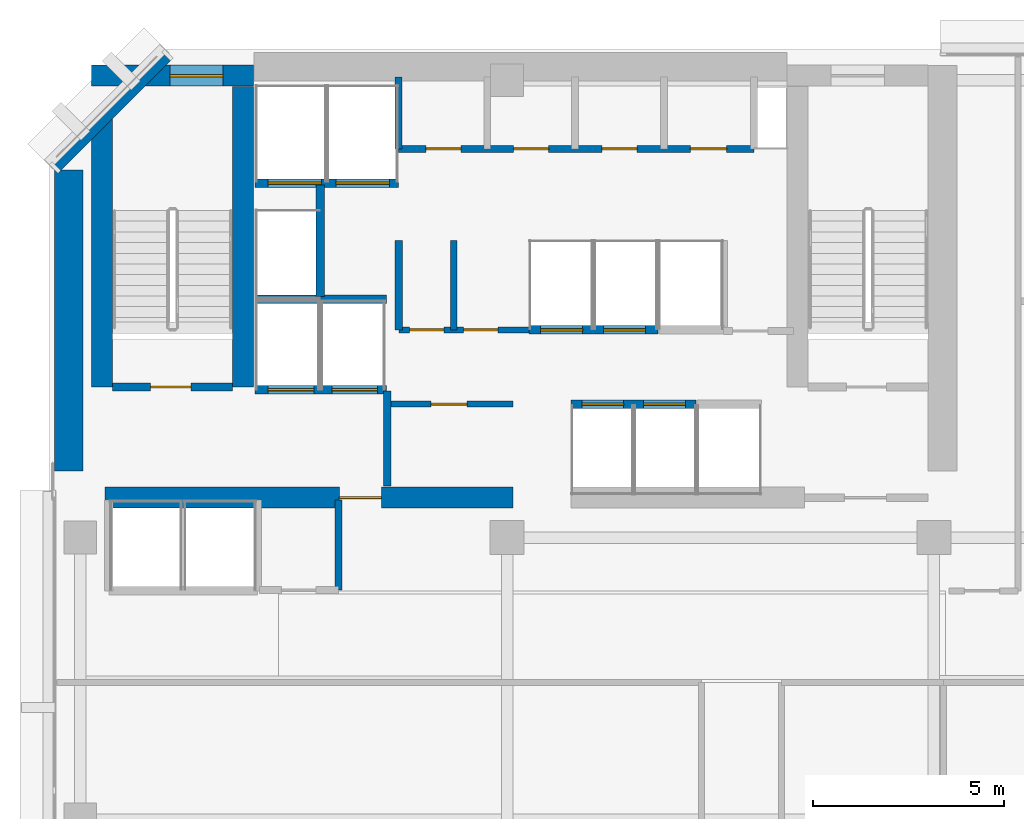
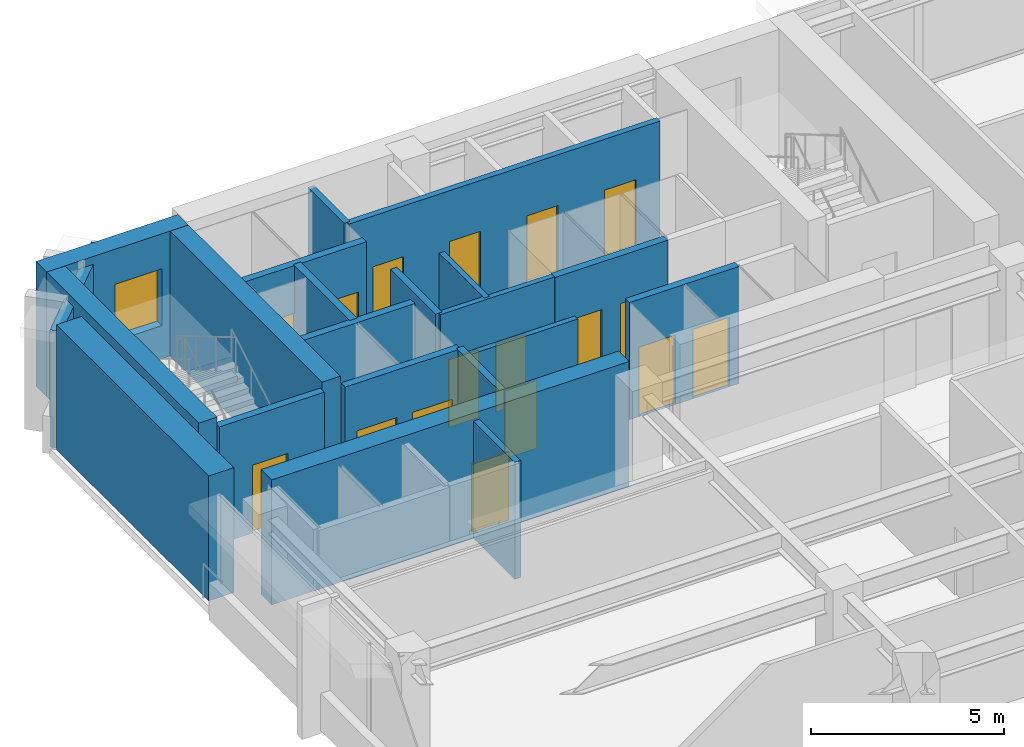
# One storey, part 7 of 11: 21 walls, 17 doors, 1 window, 18 openings.
"""IFC4 building model written with IfcOpenShell, lengths in metres."""

import ifcopenshell
import ifcopenshell.guid

model = None  # the IFC model being written
_history = None  # IfcOwnerHistory: only IFC2X3 demands one
_inside = {}  # id of a spatial element -> (the spatial element, [elements in it])
_under = {}  # id of a project, library or spatial element -> (it, [spatial elements below it])
_declared = {}  # id of a project -> (the project, [libraries it declares])
_typed = {}  # id of a type object -> (the type object, [elements of that type])
_made_of = {}  # id of a material, layer set ... -> (it, [elements and type objects made of it])


def new_model(schema):
    """Start an empty IFC model of exactly this schema.

    Asked for "IFC4X3", IfcOpenShell would pick the latest addendum, in which some entities
    have other attributes; the version numbers below select the first issue.
    IFC2X3 requires an IfcOwnerHistory on every rooted entity: one is made here for all.
    """
    global model, _history
    if schema == "IFC4X3":
        model = ifcopenshell.file(schema_version=(4, 3, 0, 0))
    else:
        model = ifcopenshell.file(schema=schema)
    _inside.clear()
    _under.clear()
    _declared.clear()
    _typed.clear()
    _made_of.clear()
    _history = None
    if model.schema == "IFC2X3":
        org = make("IfcOrganization", Name="unknown")
        user = make(
            "IfcPersonAndOrganization",
            ThePerson=make("IfcPerson", FamilyName="unknown"),
            TheOrganization=org,
        )
        app = make(
            "IfcApplication",
            ApplicationDeveloper=org,
            Version="unknown",
            ApplicationFullName="unknown",
            ApplicationIdentifier="unknown",
        )
        _history = make(
            "IfcOwnerHistory",
            OwningUser=user,
            OwningApplication=app,
            ChangeAction="ADDED",
            CreationDate=0,
        )
    return model


def make(cls, **values):
    """One entity of the class cls with the attributes given. An attribute that is None is left unset."""
    return model.create_entity(
        cls, **{name: value for name, value in values.items() if value is not None}
    )


def rooted(cls, **values):
    """An entity with a GlobalId (a new one), such as an element, a storey or a relation."""
    return make(cls, GlobalId=ifcopenshell.guid.new(), OwnerHistory=_history, **values)


def si_unit(unit_type, name, prefix=None):
    """IfcSIUnit, for example si_unit("LENGTHUNIT", "METRE", prefix="MILLI")."""
    return make("IfcSIUnit", UnitType=unit_type, Prefix=prefix, Name=name)


def assignment(units):
    """IfcUnitAssignment: the units of a project."""
    return None if units is None else make("IfcUnitAssignment", Units=units)


def point(xyz):
    """IfcCartesianPoint."""
    return None if xyz is None else make("IfcCartesianPoint", Coordinates=xyz)


def direction(xyz):
    """IfcDirection."""
    return None if xyz is None else make("IfcDirection", DirectionRatios=xyz)


def frame(location, z_axis=None, x_axis=None):
    """IfcAxis2Placement3D, a coordinate frame: its origin and axes. An axis left out is left unset."""
    return make(
        "IfcAxis2Placement3D",
        Location=point(location),
        Axis=direction(z_axis),
        RefDirection=direction(x_axis),
    )


def frame_2d(location, x_axis=None):
    """IfcAxis2Placement2D, a coordinate frame in the plane: its origin and x axis."""
    return make(
        "IfcAxis2Placement2D", Location=point(location), RefDirection=direction(x_axis)
    )


def origin():
    """The frame at (0, 0, 0) with its axes left unset."""
    return frame((0.0, 0.0, 0.0))


def place(relative_to, where):
    """IfcLocalPlacement: puts the frame where relative to a parent placement (None: the world)."""
    return make(
        "IfcLocalPlacement", PlacementRelTo=relative_to, RelativePlacement=where
    )


def context(
    kind, dimensions, precision=None, world=None, true_north=None, identifier=None
):
    """IfcGeometricRepresentationContext, for example the 3D "Model" context."""
    return make(
        "IfcGeometricRepresentationContext",
        ContextIdentifier=identifier,
        ContextType=kind,
        CoordinateSpaceDimension=dimensions,
        Precision=precision,
        WorldCoordinateSystem=world,
        TrueNorth=true_north,
    )


def subcontext(parent, identifier, kind, view, scale=None):
    """IfcGeometricRepresentationSubContext, for example "Body" below "Model"."""
    return make(
        "IfcGeometricRepresentationSubContext",
        ContextIdentifier=identifier,
        ContextType=kind,
        ParentContext=parent,
        TargetScale=scale,
        TargetView=view,
    )


def project(units=None, contexts=None):
    """IfcProject with its units and contexts."""
    return rooted(
        "IfcProject",
        Name="project",
        RepresentationContexts=contexts,
        UnitsInContext=assignment(units),
    )


def spatial(cls, under=None, at=None, **own):
    """A site, building, storey or space (cls), placed at a placement, below another one or the project."""
    s = rooted(cls, ObjectPlacement=at, **own)
    if under is not None:
        _under.setdefault(under.id(), (under, []))[1].append(s)
    return s


def profile(cls, at=None, kind="AREA", **sizes):
    """A parametric profile (cls). Its sizes go by their IFC names, for example OverallWidth=200.0."""
    return make(cls, ProfileType=kind, Position=at, **sizes)


def rectangle(**sizes):
    """IfcRectangleProfileDef."""
    return profile("IfcRectangleProfileDef", **sizes)


def extrude(swept, where, along, depth):
    """IfcExtrudedAreaSolid: the profile swept, set in the frame where, extruded along a direction by depth."""
    return make(
        "IfcExtrudedAreaSolid",
        SweptArea=swept,
        Position=where,
        ExtrudedDirection=direction(along),
        Depth=depth,
    )


def shape(context_of_items, identifier, shape_type, items):
    """IfcShapeRepresentation: the items that make up one representation, for example the "Body"."""
    return make(
        "IfcShapeRepresentation",
        ContextOfItems=context_of_items,
        RepresentationIdentifier=identifier,
        RepresentationType=shape_type,
        Items=items,
    )


def material(Name=None, Category=None):
    """IfcMaterial."""
    return make("IfcMaterial", Name=Name, Category=Category)


def layer(
    of_material, thickness, ventilated=None, Name=None, Category=None, Priority=None
):
    """IfcMaterialLayer: one layer of a wall or slab, of a material (None: an air gap)."""
    return make(
        "IfcMaterialLayer",
        Material=of_material,
        LayerThickness=thickness,
        IsVentilated=ventilated,
        Name=Name,
        Category=Category,
        Priority=Priority,
    )


def layer_set(layers, Name=None):
    """IfcMaterialLayerSet."""
    return make("IfcMaterialLayerSet", MaterialLayers=layers, LayerSetName=Name)


def made_of(thing, what):
    """Note that an element or type object is made of a material, layer set ...; save() writes the relation."""
    if what is not None:
        _made_of.setdefault(what.id(), (what, []))[1].append(thing)
    return thing


def type_object(cls, material=None, **own):
    """A type object (cls), such as IfcWallType, which elements share."""
    return made_of(rooted(cls, **own), material)


def element(
    cls,
    number,
    at=None,
    inside=None,
    cuts=None,
    type_object=None,
    material=None,
    context=None,
    identifier="Body",
    shape_type=None,
    held_by="IfcProductDefinitionShape",
    body=None,
    shapes=None,
    **own,
):
    """One element of the class cls, such as IfcWall. Its Tag is "e" and its number.

    at: its placement. inside: the storey or other place that contains it. cuts: it is an
    opening in that element (IfcRelVoidsElement). A single representation is given by context,
    identifier, shape_type and body (its items); several are given by shapes. held_by: the class
    of the entity that holds the representations. save() writes the other relations.
    """
    e = rooted(cls, Tag="e%d" % number, ObjectPlacement=at, **own)
    if body is not None:
        shapes = [shape(context, identifier, shape_type, body)]
    if shapes is not None:
        e.Representation = make(held_by, Representations=shapes)
    if inside is not None:
        _inside.setdefault(inside.id(), (inside, []))[1].append(e)
    if cuts is not None:
        rooted(
            "IfcRelVoidsElement", RelatingBuildingElement=cuts, RelatedOpeningElement=e
        )
    if type_object is not None:
        _typed.setdefault(type_object.id(), (type_object, []))[1].append(e)
    return made_of(e, material)


def fill(opening, filler):
    """IfcRelFillsElement: the door or window that sits in an opening."""
    return rooted(
        "IfcRelFillsElement",
        RelatingOpeningElement=opening,
        RelatedBuildingElement=filler,
    )


def aggregate(whole, parts):
    """IfcRelAggregates: a whole, such as a stair, and the parts it consists of."""
    return rooted("IfcRelAggregates", RelatingObject=whole, RelatedObjects=parts)


def save(model, path):
    """Write the relations noted so far, then the file.

    IfcRelAggregates (storeys below a building ...), IfcRelContainedInSpatialStructure (elements
    in a storey), IfcRelDefinesByType, IfcRelAssociatesMaterial and IfcRelDeclares: one each for
    every whole, place, type object, material and project.
    """
    for whole, parts in _under.values():
        aggregate(whole, parts)
    for where, things in _inside.values():
        rooted(
            "IfcRelContainedInSpatialStructure",
            RelatedElements=things,
            RelatingStructure=where,
        )
    for kind, things in _typed.values():
        rooted("IfcRelDefinesByType", RelatedObjects=things, RelatingType=kind)
    for what, things in _made_of.values():
        rooted("IfcRelAssociatesMaterial", RelatedObjects=things, RelatingMaterial=what)
    for by, libraries in _declared.values():
        rooted("IfcRelDeclares", RelatingContext=by, RelatedDefinitions=libraries)
    model.write(path)


model = new_model("IFC4")

# Units and contexts
model_context = context("Model", 3, precision=1e-05, world=origin(), true_north=direction((0.0, 1.0)))
body_context = subcontext(model_context, "Body", "Model", "MODEL_VIEW")
ifc_project = project(units=[si_unit("LENGTHUNIT", "METRE"), si_unit("AREAUNIT", "SQUARE_METRE"), si_unit("VOLUMEUNIT", "CUBIC_METRE"), si_unit("PLANEANGLEUNIT", "RADIAN"), si_unit("MASSUNIT", "GRAM", prefix="KILO")], contexts=[model_context])

# Site, building, storey
site_placement = place(None, origin())
site = spatial("IfcSite", under=ifc_project, at=site_placement, CompositionType="ELEMENT")
building_placement = place(site_placement, origin())
building = spatial("IfcBuilding", under=site, at=building_placement, Name="Kefirva Bronze Tower", CompositionType="ELEMENT")
storey_placement = place(building_placement, frame((0.0, 0.0, 179.52001953125)))
storey = spatial("IfcBuildingStorey", under=building, at=storey_placement, Name="L43", CompositionType="ELEMENT", Elevation=179.52001953125)

# Wall, opening, door
ifc_material_1 = material(Name="Gypsum fireboard shaftwall")
ifc_layer_1 = layer(ifc_material_1, 0.219970703125, Name="Gypsum fireboard shaftwall")
ifc_layer_set_1 = layer_set([ifc_layer_1], Name="Gypsum fireboard shaftwall")
wall_type_1 = type_object("IfcWallType", Name="Fire-Rated Shaft Enclosure Wall 220mm", PredefinedType="PARTITIONING", material=ifc_layer_set_1)
wall_1_placement = place(storey_placement, frame((1.64990234375, 37.14990234375, 0.0), z_axis=(0.0, 0.0, 1.0), x_axis=(1.0, 0.0, 0.0)))
wall_1 = element("IfcWall", 1, at=wall_1_placement, inside=storey, type_object=wall_type_1, Name="L43 Partition W-L43-ST1S", PredefinedType="PARTITIONING", context=body_context, shape_type="SweptSolid", body=[
    extrude(rectangle(XDim=3.150146484375, YDim=0.219970703125, at=frame_2d((1.5751953125, 0.0))), origin(), (0.0, 0.0, 1.0), 3.7099609375),
])
opening_1_placement = place(wall_1_placement, frame((2.050048828125, 0.0, 0.0), z_axis=(0.0, 0.0, 1.0), x_axis=(-1.0, 0.0, 0.0)))
opening_1 = element("IfcOpeningElement", 2, at=opening_1_placement, cuts=wall_1, Name="Opening L43-D001", PredefinedType="OPENING", context=body_context, shape_type="SweptSolid", body=[
    extrude(rectangle(XDim=1.050048828125, YDim=2.14990234375, at=frame_2d((0.52490234375, 1.074951171875))), frame((0.0, 0.1201171875, 0.0), z_axis=(0.0, -1.0, 0.0), x_axis=(1.0, 0.0, 0.0)), (0.0, 0.0, 1.0), 0.239990234375),
])
ifc_material_2 = material(Name="Painted galvanized steel", Category="steel")
door_type_1 = type_object("IfcDoorType", Name="Fire Stair Enclosure Door 1050x2150 FD90S", OperationType="NOTDEFINED", PredefinedType="DOOR", material=ifc_material_2)
door_1_placement = place(opening_1_placement, origin())
door_1 = element("IfcDoor", 3, at=door_1_placement, inside=storey, type_object=door_type_1, Name="Door L43-D001", OperationType="SINGLE_SWING_LEFT", OverallHeight=2.14990234375, OverallWidth=1.050048828125, PredefinedType="DOOR", context=body_context, shape_type="SweptSolid", body=[
    extrude(rectangle(XDim=1.050048828125, YDim=2.14990234375, at=frame_2d((0.52490234375, 1.074951171875))), frame((0.0, 0.02490234375, 0.0), z_axis=(0.0, -1.0, 0.0), x_axis=(1.0, 0.0, 0.0)), (0.0, 0.0, 1.0), 0.050048828125),
])
fill(opening_1, door_1)

# Wall, openings, doors
wall_2_placement = place(storey_placement, frame((5.3798828125, 37.080078125, 0.0), z_axis=(0.0, 0.0, 1.0), x_axis=(1.0, 0.0, 0.0)))
wall_2 = element("IfcWall", 4, at=wall_2_placement, inside=storey, type_object=wall_type_1, Name="L43 Partition W-L43-FFS", PredefinedType="PARTITIONING", context=body_context, shape_type="SweptSolid", body=[
    extrude(rectangle(XDim=3.460205078125, YDim=0.219970703125, at=frame_2d((1.72998046875, 0.0))), origin(), (0.0, 0.0, 1.0), 3.7099609375),
])
opening_2_placement = place(wall_2_placement, frame((1.550048828125, 0.0, 0.0), z_axis=(0.0, 0.0, 1.0), x_axis=(-1.0, 0.0, 0.0)))
opening_2 = element("IfcOpeningElement", 5, at=opening_2_placement, cuts=wall_2, Name="Opening L43-LD-FF1", PredefinedType="OPENING", context=body_context, shape_type="SweptSolid", body=[
    extrude(rectangle(XDim=1.199951171875, YDim=2.199951171875, at=frame_2d((0.60009765625, 1.10009765625))), frame((0.0, 0.1201171875, 0.0), z_axis=(0.0, -1.0, 0.0), x_axis=(1.0, 0.0, 0.0)), (0.0, 0.0, 1.0), 0.239990234375),
])
opening_3_placement = place(wall_2_placement, frame((3.219970703125, 0.0, 0.0), z_axis=(0.0, 0.0, 1.0), x_axis=(-1.0, 0.0, 0.0)))
opening_3 = element("IfcOpeningElement", 6, at=opening_3_placement, cuts=wall_2, Name="Opening L43-LD-FF2", PredefinedType="OPENING", context=body_context, shape_type="SweptSolid", body=[
    extrude(rectangle(XDim=1.199951171875, YDim=2.199951171875, at=frame_2d((0.60009765625, 1.10009765625))), frame((0.0, 0.1201171875, 0.0), z_axis=(0.0, -1.0, 0.0), x_axis=(1.0, 0.0, 0.0)), (0.0, 0.0, 1.0), 0.239990234375),
])
ifc_material_3 = material(Name="Stainless steel 316", Category="steel")
door_type_2 = type_object("IfcDoorType", Name="Firefighting Lift Sliding Door 1200x2200", OperationType="SLIDING_TO_RIGHT", PredefinedType="DOOR", material=ifc_material_3)
door_2_placement = place(opening_2_placement, origin())
door_2 = element("IfcDoor", 7, at=door_2_placement, inside=storey, type_object=door_type_2, Name="Door L43-LD-FF1", OperationType="SLIDING_TO_RIGHT", OverallHeight=2.199951171875, OverallWidth=1.199951171875, PredefinedType="DOOR", context=body_context, shape_type="SweptSolid", body=[
    extrude(rectangle(XDim=1.199951171875, YDim=2.199951171875, at=frame_2d((0.60009765625, 1.10009765625))), frame((0.0, 0.02490234375, 0.0), z_axis=(0.0, -1.0, 0.0), x_axis=(1.0, 0.0, 0.0)), (0.0, 0.0, 1.0), 0.050048828125),
])
fill(opening_2, door_2)
door_3_placement = place(opening_3_placement, origin())
door_3 = element("IfcDoor", 8, at=door_3_placement, inside=storey, type_object=door_type_2, Name="Door L43-LD-FF2", OperationType="SLIDING_TO_RIGHT", OverallHeight=2.199951171875, OverallWidth=1.199951171875, PredefinedType="DOOR", context=body_context, shape_type="SweptSolid", body=[
    extrude(rectangle(XDim=1.199951171875, YDim=2.199951171875, at=frame_2d((0.60009765625, 1.10009765625))), frame((0.0, 0.02490234375, 0.0), z_axis=(0.0, -1.0, 0.0), x_axis=(1.0, 0.0, 0.0)), (0.0, 0.0, 1.0), 0.050048828125),
])
fill(opening_3, door_3)

# Wall
wall_3_placement = place(storey_placement, frame((5.3798828125, 39.449951171875, 0.0), z_axis=(0.0, 0.0, 1.0), x_axis=(1.0, 0.0, 0.0)))
element("IfcWall", 9, at=wall_3_placement, inside=storey, type_object=wall_type_1, Name="L43 Partition W-L43-FFN", PredefinedType="PARTITIONING", context=body_context, shape_type="SweptSolid", body=[
    extrude(rectangle(XDim=3.460205078125, YDim=0.219970703125, at=frame_2d((1.72998046875, 0.0))), origin(), (0.0, 0.0, 1.0), 3.7099609375),
])

# Wall, openings, doors
wall_4_placement = place(storey_placement, frame((5.3798828125, 42.5, 0.0), z_axis=(0.0, 0.0, 1.0), x_axis=(1.0, 0.0, 0.0)))
wall_4 = element("IfcWall", 10, at=wall_4_placement, inside=storey, type_object=wall_type_1, Name="L43 Partition W-L43-SVS", PredefinedType="PARTITIONING", context=body_context, shape_type="SweptSolid", body=[
    extrude(rectangle(XDim=3.77001953125, YDim=0.219970703125, at=frame_2d((1.885009765625, 0.0))), origin(), (0.0, 0.0, 1.0), 3.7099609375),
])
opening_4_placement = place(wall_4_placement, frame((1.75, 0.0, 0.0), z_axis=(0.0, 0.0, 1.0), x_axis=(-1.0, 0.0, 0.0)))
opening_4 = element("IfcOpeningElement", 11, at=opening_4_placement, cuts=wall_4, Name="Opening L43-LD-SV1", PredefinedType="OPENING", context=body_context, shape_type="SweptSolid", body=[
    extrude(rectangle(XDim=1.39990234375, YDim=2.199951171875, at=frame_2d((0.699951171875, 1.10009765625))), frame((0.0, 0.1201171875, 0.0), z_axis=(0.0, -1.0, 0.0), x_axis=(1.0, 0.0, 0.0)), (0.0, 0.0, 1.0), 0.239990234375),
])
opening_5_placement = place(wall_4_placement, frame((3.52978515625, 0.0, 0.0), z_axis=(0.0, 0.0, 1.0), x_axis=(-1.0, 0.0, 0.0)))
opening_5 = element("IfcOpeningElement", 12, at=opening_5_placement, cuts=wall_4, Name="Opening L43-LD-SV2", PredefinedType="OPENING", context=body_context, shape_type="SweptSolid", body=[
    extrude(rectangle(XDim=1.39990234375, YDim=2.199951171875, at=frame_2d((0.699951171875, 1.10009765625))), frame((0.0, 0.1201171875, 0.0), z_axis=(0.0, -1.0, 0.0), x_axis=(1.0, 0.0, 0.0)), (0.0, 0.0, 1.0), 0.239990234375),
])
door_type_3 = type_object("IfcDoorType", Name="Goods Lift Bi-Parting Sliding Door 1400x2200", OperationType="SLIDING_TO_LEFT", PredefinedType="DOOR", material=ifc_material_3)
door_4_placement = place(opening_4_placement, origin())
door_4 = element("IfcDoor", 13, at=door_4_placement, inside=storey, type_object=door_type_3, Name="Door L43-LD-SV1", OperationType="SLIDING_TO_LEFT", OverallHeight=2.199951171875, OverallWidth=1.39990234375, PredefinedType="DOOR", context=body_context, shape_type="SweptSolid", body=[
    extrude(rectangle(XDim=1.39990234375, YDim=2.199951171875, at=frame_2d((0.699951171875, 1.10009765625))), frame((0.0, 0.02490234375, 0.0), z_axis=(0.0, -1.0, 0.0), x_axis=(1.0, 0.0, 0.0)), (0.0, 0.0, 1.0), 0.050048828125),
])
fill(opening_4, door_4)
door_5_placement = place(opening_5_placement, origin())
door_5 = element("IfcDoor", 14, at=door_5_placement, inside=storey, type_object=door_type_3, Name="Door L43-LD-SV2", OperationType="SLIDING_TO_LEFT", OverallHeight=2.199951171875, OverallWidth=1.39990234375, PredefinedType="DOOR", context=body_context, shape_type="SweptSolid", body=[
    extrude(rectangle(XDim=1.39990234375, YDim=2.199951171875, at=frame_2d((0.699951171875, 1.10009765625))), frame((0.0, 0.02490234375, 0.0), z_axis=(0.0, -1.0, 0.0), x_axis=(1.0, 0.0, 0.0)), (0.0, 0.0, 1.0), 0.050048828125),
])
fill(opening_5, door_5)

# Walls
wall_5_placement = place(storey_placement, frame((7.10009765625, 39.52001953125, 0.0), z_axis=(0.0, 0.0, 1.0), x_axis=(0.0, 1.0, 0.0)))
element("IfcWall", 15, at=wall_5_placement, inside=storey, type_object=wall_type_1, Name="L43 Partition W-L43-HP3E", PredefinedType="PARTITIONING", context=body_context, shape_type="SweptSolid", body=[
    extrude(rectangle(XDim=2.929931640625, YDim=0.219970703125, at=frame_2d((1.46484375, 0.0))), origin(), (0.0, 0.0, 1.0), 3.7099609375),
])
wall_6_placement = place(storey_placement, frame((9.159912109375, 38.64990234375, 0.0), z_axis=(0.0, 0.0, 1.0), x_axis=(0.0, 1.0, 0.0)))
element("IfcWall", 16, at=wall_6_placement, inside=storey, type_object=wall_type_1, Name="L43 Partition W-L43-LP3W", PredefinedType="PARTITIONING", context=body_context, shape_type="SweptSolid", body=[
    extrude(rectangle(XDim=2.35009765625, YDim=0.199951171875, at=frame_2d((1.175048828125, 0.0))), origin(), (0.0, 0.0, 1.0), 3.7099609375),
])

# Wall, openings, doors
wall_7_placement = place(storey_placement, frame((13.679931640625, 36.699951171875, 0.0), z_axis=(0.0, 0.0, 1.0), x_axis=(1.0, 0.0, 0.0)))
wall_7 = element("IfcWall", 17, at=wall_7_placement, inside=storey, type_object=wall_type_1, Name="L43 Partition W-L43-MPS", PredefinedType="PARTITIONING", context=body_context, shape_type="SweptSolid", body=[
    extrude(rectangle(XDim=3.280029296875, YDim=0.219970703125, at=frame_2d((1.64013671875, 0.0))), origin(), (0.0, 0.0, 1.0), 3.7099609375),
])
opening_6_placement = place(wall_7_placement, frame((0.280029296875, 0.0, 0.0)))
opening_6 = element("IfcOpeningElement", 18, at=opening_6_placement, cuts=wall_7, Name="Opening L43-LD-MP1", PredefinedType="OPENING", context=body_context, shape_type="SweptSolid", body=[
    extrude(rectangle(XDim=1.10009765625, YDim=2.199951171875, at=frame_2d((0.550048828125, 1.10009765625))), frame((0.0, 0.1201171875, 0.0), z_axis=(0.0, -1.0, 0.0), x_axis=(1.0, 0.0, 0.0)), (0.0, 0.0, 1.0), 0.239990234375),
])
opening_7_placement = place(wall_7_placement, frame((1.89990234375, 0.0, 0.0)))
opening_7 = element("IfcOpeningElement", 19, at=opening_7_placement, cuts=wall_7, Name="Opening L43-LD-MP2", PredefinedType="OPENING", context=body_context, shape_type="SweptSolid", body=[
    extrude(rectangle(XDim=1.10009765625, YDim=2.199951171875, at=frame_2d((0.550048828125, 1.10009765625))), frame((0.0, 0.1201171875, 0.0), z_axis=(0.0, -1.0, 0.0), x_axis=(1.0, 0.0, 0.0)), (0.0, 0.0, 1.0), 0.239990234375),
])
door_type_4 = type_object("IfcDoorType", Name="Passenger Lift Sliding Landing Door 1100x2200", OperationType="SLIDING_TO_LEFT", PredefinedType="DOOR", material=ifc_material_3)
door_6_placement = place(opening_6_placement, origin())
door_6 = element("IfcDoor", 20, at=door_6_placement, inside=storey, type_object=door_type_4, Name="Door L43-LD-MP1", OperationType="SLIDING_TO_RIGHT", OverallHeight=2.199951171875, OverallWidth=1.10009765625, PredefinedType="DOOR", context=body_context, shape_type="SweptSolid", body=[
    extrude(rectangle(XDim=1.10009765625, YDim=2.199951171875, at=frame_2d((0.550048828125, 1.10009765625))), frame((0.0, 0.02490234375, 0.0), z_axis=(0.0, -1.0, 0.0), x_axis=(1.0, 0.0, 0.0)), (0.0, 0.0, 1.0), 0.050048828125),
])
fill(opening_6, door_6)
door_7_placement = place(opening_7_placement, origin())
door_7 = element("IfcDoor", 21, at=door_7_placement, inside=storey, type_object=door_type_4, Name="Door L43-LD-MP2", OperationType="SLIDING_TO_RIGHT", OverallHeight=2.199951171875, OverallWidth=1.10009765625, PredefinedType="DOOR", context=body_context, shape_type="SweptSolid", body=[
    extrude(rectangle(XDim=1.10009765625, YDim=2.199951171875, at=frame_2d((0.550048828125, 1.10009765625))), frame((0.0, 0.02490234375, 0.0), z_axis=(0.0, -1.0, 0.0), x_axis=(1.0, 0.0, 0.0)), (0.0, 0.0, 1.0), 0.050048828125),
])
fill(opening_7, door_7)

wall_8_placement = place(storey_placement, frame((12.580078125, 38.64990234375, 0.0), z_axis=(0.0, 0.0, 1.0), x_axis=(1.0, 0.0, 0.0)))
wall_8 = element("IfcWall", 22, at=wall_8_placement, inside=storey, type_object=wall_type_1, Name="L43 Partition W-L43-MPN", PredefinedType="PARTITIONING", context=body_context, shape_type="SweptSolid", body=[
    extrude(rectangle(XDim=3.3798828125, YDim=0.219970703125, at=frame_2d((1.68994140625, 0.0))), origin(), (0.0, 0.0, 1.0), 3.7099609375),
])
opening_8_placement = place(wall_8_placement, frame((0.300048828125, 0.0, 0.0)))
opening_8 = element("IfcOpeningElement", 23, at=opening_8_placement, cuts=wall_8, Name="Opening L43-LD-MP3", PredefinedType="OPENING", context=body_context, shape_type="SweptSolid", body=[
    extrude(rectangle(XDim=1.10009765625, YDim=2.199951171875, at=frame_2d((0.550048828125, 1.10009765625))), frame((0.0, 0.1201171875, 0.0), z_axis=(0.0, -1.0, 0.0), x_axis=(1.0, 0.0, 0.0)), (0.0, 0.0, 1.0), 0.239990234375),
])
opening_9_placement = place(wall_8_placement, frame((1.949951171875, 0.0, 0.0)))
opening_9 = element("IfcOpeningElement", 24, at=opening_9_placement, cuts=wall_8, Name="Opening L43-LD-MP4", PredefinedType="OPENING", context=body_context, shape_type="SweptSolid", body=[
    extrude(rectangle(XDim=1.10009765625, YDim=2.199951171875, at=frame_2d((0.550048828125, 1.10009765625))), frame((0.0, 0.1201171875, 0.0), z_axis=(0.0, -1.0, 0.0), x_axis=(1.0, 0.0, 0.0)), (0.0, 0.0, 1.0), 0.239990234375),
])
door_8_placement = place(opening_8_placement, origin())
door_8 = element("IfcDoor", 25, at=door_8_placement, inside=storey, type_object=door_type_4, Name="Door L43-LD-MP3", OperationType="SLIDING_TO_RIGHT", OverallHeight=2.199951171875, OverallWidth=1.10009765625, PredefinedType="DOOR", context=body_context, shape_type="SweptSolid", body=[
    extrude(rectangle(XDim=1.10009765625, YDim=2.199951171875, at=frame_2d((0.550048828125, 1.10009765625))), frame((0.0, 0.02490234375, 0.0), z_axis=(0.0, -1.0, 0.0), x_axis=(1.0, 0.0, 0.0)), (0.0, 0.0, 1.0), 0.050048828125),
])
fill(opening_8, door_8)
door_9_placement = place(opening_9_placement, origin())
door_9 = element("IfcDoor", 26, at=door_9_placement, inside=storey, type_object=door_type_4, Name="Door L43-LD-MP4", OperationType="SLIDING_TO_RIGHT", OverallHeight=2.199951171875, OverallWidth=1.10009765625, PredefinedType="DOOR", context=body_context, shape_type="SweptSolid", body=[
    extrude(rectangle(XDim=1.10009765625, YDim=2.199951171875, at=frame_2d((0.550048828125, 1.10009765625))), frame((0.0, 0.02490234375, 0.0), z_axis=(0.0, -1.0, 0.0), x_axis=(1.0, 0.0, 0.0)), (0.0, 0.0, 1.0), 0.050048828125),
])
fill(opening_9, door_9)

# Walls
ifc_material_4 = material(Name="Gypsum fireboard barrier")
ifc_layer_2 = layer(ifc_material_4, 0.199951171875, Name="Gypsum fireboard barrier")
ifc_layer_set_2 = layer_set([ifc_layer_2], Name="Gypsum fireboard barrier")
wall_type_2 = type_object("IfcWallType", Name="Firefighting Lobby Barrier Wall 200mm", PredefinedType="PARTITIONING", material=ifc_layer_set_2)
wall_9_placement = place(storey_placement, frame((8.860107421875, 34.550048828125, 0.0), z_axis=(0.0, 0.0, 1.0), x_axis=(0.0, 1.0, 0.0)))
element("IfcWall", 27, at=wall_9_placement, inside=storey, type_object=wall_type_2, Name="L43 Partition W-L43-FFLE", PredefinedType="PARTITIONING", context=body_context, shape_type="SweptSolid", body=[
    extrude(rectangle(XDim=2.5, YDim=0.199951171875, at=frame_2d((1.25, 0.0))), origin(), (0.0, 0.0, 1.0), 3.7099609375),
])
ifc_material_5 = material(Name="Precast concrete C40/50", Category="concrete")
ifc_layer_3 = layer(ifc_material_5, 0.320068359375, Name="Precast concrete C40/50")
ifc_layer_set_3 = layer_set([ifc_layer_3], Name="Precast concrete C40/50")
wall_type_3 = type_object("IfcWallType", Name="Precast Insulated Exterior Wall 320mm", PredefinedType="SOLIDWALL", material=ifc_layer_set_3)
wall_10_placement = place(storey_placement, frame((3.07421875, 45.847900390625, 0.0), z_axis=(0.0, 0.0, 1.0), x_axis=(-0.707106781187, -0.707106781187, 0.0)))
element("IfcWall", 28, at=wall_10_placement, inside=storey, type_object=wall_type_3, Name="L43 Exterior Facade Wall 5", PredefinedType="SOLIDWALL", context=body_context, shape_type="SweptSolid", body=[
    extrude(rectangle(XDim=4.132568359375, YDim=0.320068359375, at=frame_2d((2.06640625, 0.0))), origin(), (0.0, 0.0, 1.0), 3.7099609375),
])

# Wall, opening, door
ifc_material_6 = material(Name="Gypsum acoustic partition")
ifc_layer_4 = layer(ifc_material_6, 0.159912109375, Name="Gypsum acoustic partition")
ifc_layer_set_4 = layer_set([ifc_layer_4], Name="Gypsum acoustic partition")
wall_type_4 = type_object("IfcWallType", Name="Protected Corridor Partition 160mm", PredefinedType="PARTITIONING", material=ifc_layer_set_4)
wall_11_placement = place(storey_placement, frame((8.89990234375, 36.699951171875, 0.0), z_axis=(0.0, 0.0, 1.0), x_axis=(1.0, 0.0, 0.0)))
wall_11 = element("IfcWall", 29, at=wall_11_placement, inside=storey, type_object=wall_type_4, Name="L43 Partition W-L43-RECLP1", PredefinedType="PARTITIONING", context=body_context, shape_type="SweptSolid", body=[
    extrude(rectangle(XDim=3.25, YDim=0.159912109375, at=frame_2d((1.625, 0.0))), origin(), (0.0, 0.0, 1.0), 3.7099609375),
])
opening_10_placement = place(wall_11_placement, frame((1.10009765625, 0.0, 0.0)))
opening_10 = element("IfcOpeningElement", 30, at=opening_10_placement, cuts=wall_11, Name="Opening L43-D-RECLP1", PredefinedType="OPENING", context=body_context, shape_type="SweptSolid", body=[
    extrude(rectangle(XDim=0.949951171875, YDim=2.14990234375, at=frame_2d((0.47509765625, 1.074951171875))), frame((0.0, 0.08984375, 0.0), z_axis=(0.0, -1.0, 0.0), x_axis=(1.0, 0.0, 0.0)), (0.0, 0.0, 1.0), 0.179931640625),
])
ifc_material_7 = material(Name="Acoustic hardwood oak", Category="wood")
door_type_5 = type_object("IfcDoorType", Name="Office & Meeting Room Door 950x2150", OperationType="NOTDEFINED", PredefinedType="DOOR", material=ifc_material_7)
door_10_placement = place(opening_10_placement, origin())
door_10 = element("IfcDoor", 31, at=door_10_placement, inside=storey, type_object=door_type_5, Name="Door L43-D-RECLP1", OperationType="SINGLE_SWING_LEFT", OverallHeight=2.14990234375, OverallWidth=0.949951171875, PredefinedType="DOOR", context=body_context, shape_type="SweptSolid", body=[
    extrude(rectangle(XDim=0.949951171875, YDim=2.14990234375, at=frame_2d((0.47509765625, 1.074951171875))), frame((0.0, 0.02490234375, 0.0), z_axis=(0.0, -1.0, 0.0), x_axis=(1.0, 0.0, 0.0)), (0.0, 0.0, 1.0), 0.050048828125),
])
fill(opening_10, door_10)

# Wall, openings, doors
wall_12_placement = place(storey_placement, frame((9.159912109375, 38.64990234375, 0.0), z_axis=(0.0, 0.0, 1.0), x_axis=(1.0, 0.0, 0.0)))
wall_12 = element("IfcWall", 32, at=wall_12_placement, inside=storey, type_object=wall_type_4, Name="L43 Partition W-L43-RECLP2", PredefinedType="PARTITIONING", context=body_context, shape_type="SweptSolid", body=[
    extrude(rectangle(XDim=3.420166015625, YDim=0.159912109375, at=frame_2d((1.7099609375, 0.0))), origin(), (0.0, 0.0, 1.0), 3.7099609375),
])
opening_11_placement = place(wall_12_placement, frame((1.179931640625, 0.0, 0.0), z_axis=(0.0, 0.0, 1.0), x_axis=(-1.0, 0.0, 0.0)))
opening_11 = element("IfcOpeningElement", 33, at=opening_11_placement, cuts=wall_12, Name="Opening L43-D-RECLP2A", PredefinedType="OPENING", context=body_context, shape_type="SweptSolid", body=[
    extrude(rectangle(XDim=0.89990234375, YDim=2.14990234375, at=frame_2d((0.449951171875, 1.074951171875))), frame((0.0, 0.08984375, 0.0), z_axis=(0.0, -1.0, 0.0), x_axis=(1.0, 0.0, 0.0)), (0.0, 0.0, 1.0), 0.179931640625),
])
opening_12_placement = place(wall_12_placement, frame((2.599853515625, 0.0, 0.0), z_axis=(0.0, 0.0, 1.0), x_axis=(-1.0, 0.0, 0.0)))
opening_12 = element("IfcOpeningElement", 34, at=opening_12_placement, cuts=wall_12, Name="Opening L43-D-RECLP2B", PredefinedType="OPENING", context=body_context, shape_type="SweptSolid", body=[
    extrude(rectangle(XDim=0.89990234375, YDim=2.14990234375, at=frame_2d((0.449951171875, 1.074951171875))), frame((0.0, 0.08984375, 0.0), z_axis=(0.0, -1.0, 0.0), x_axis=(1.0, 0.0, 0.0)), (0.0, 0.0, 1.0), 0.179931640625),
])
door_type_6 = type_object("IfcDoorType", Name="Core Archive & Server Fire Door 900x2150 FD60S", OperationType="NOTDEFINED", PredefinedType="DOOR", material=ifc_material_2)
door_11_placement = place(opening_11_placement, origin())
door_11 = element("IfcDoor", 35, at=door_11_placement, inside=storey, type_object=door_type_6, Name="Door L43-D-RECLP2A", OperationType="SINGLE_SWING_RIGHT", OverallHeight=2.14990234375, OverallWidth=0.89990234375, PredefinedType="DOOR", context=body_context, shape_type="SweptSolid", body=[
    extrude(rectangle(XDim=0.89990234375, YDim=2.14990234375, at=frame_2d((0.449951171875, 1.074951171875))), frame((0.0, 0.02490234375, 0.0), z_axis=(0.0, -1.0, 0.0), x_axis=(1.0, 0.0, 0.0)), (0.0, 0.0, 1.0), 0.050048828125),
])
fill(opening_11, door_11)
door_12_placement = place(opening_12_placement, origin())
door_12 = element("IfcDoor", 36, at=door_12_placement, inside=storey, type_object=door_type_6, Name="Door L43-D-RECLP2B", OperationType="SINGLE_SWING_LEFT", OverallHeight=2.14990234375, OverallWidth=0.89990234375, PredefinedType="DOOR", context=body_context, shape_type="SweptSolid", body=[
    extrude(rectangle(XDim=0.89990234375, YDim=2.14990234375, at=frame_2d((0.449951171875, 1.074951171875))), frame((0.0, 0.02490234375, 0.0), z_axis=(0.0, -1.0, 0.0), x_axis=(1.0, 0.0, 0.0)), (0.0, 0.0, 1.0), 0.050048828125),
])
fill(opening_12, door_12)

# Wall
wall_13_placement = place(storey_placement, frame((10.60009765625, 38.64990234375, 0.0), z_axis=(0.0, 0.0, 1.0), x_axis=(0.0, 1.0, 0.0)))
element("IfcWall", 37, at=wall_13_placement, inside=storey, type_object=wall_type_4, Name="L43 Partition W-L43-RECLP2D", PredefinedType="PARTITIONING", context=body_context, shape_type="SweptSolid", body=[
    extrude(rectangle(XDim=2.35009765625, YDim=0.159912109375, at=frame_2d((1.175048828125, 0.0))), origin(), (0.0, 0.0, 1.0), 3.7099609375),
])

# Wall, opening, window
ifc_material_8 = material(Name="Concrete C50/60", Category="concrete")
ifc_layer_5 = layer(ifc_material_8, 0.550048828125, Name="Concrete C50/60")
ifc_layer_set_5 = layer_set([ifc_layer_5], Name="Concrete C50/60")
wall_type_5 = type_object("IfcWallType", Name="RC Rear Core Exterior Wall 550mm", PredefinedType="SHEAR", material=ifc_layer_set_5)
wall_14_placement = place(storey_placement, frame((1.10009765625, 45.320068359375, 0.0), z_axis=(0.0, 0.0, 1.0), x_axis=(1.0, 0.0, 0.0)))
wall_14 = element("IfcWall", 38, at=wall_14_placement, inside=storey, type_object=wall_type_5, Name="L43 Stair 1 North Shear Wall", PredefinedType="SHEAR", context=body_context, shape_type="SweptSolid", body=[
    extrude(rectangle(XDim=4.239990234375, YDim=0.550048828125, at=frame_2d((2.1201171875, 0.0))), origin(), (0.0, 0.0, 1.0), 3.9599609375),
])
opening_13_placement = place(wall_14_placement, frame((2.050048828125, 0.0, 1.050048828125)))
opening_13 = element("IfcOpeningElement", 39, at=opening_13_placement, cuts=wall_14, Name="Opening WN-03", PredefinedType="OPENING", context=body_context, shape_type="SweptSolid", body=[
    extrude(rectangle(XDim=1.39990234375, YDim=1.800048828125, at=frame_2d((0.699951171875, 0.89990234375))), frame((0.0, 0.28515625, 0.0), z_axis=(0.0, -1.0, 0.0), x_axis=(1.0, 0.0, 0.0)), (0.0, 0.0, 1.0), 0.570068359375),
])
ifc_material_9 = material(Name="Laminated low-E double glazing", Category="glass")
window_type = type_object("IfcWindowType", Name="Rear-Core Stair Daylight Window 1400x1800", PartitioningType="SINGLE_PANEL", PredefinedType="WINDOW", material=ifc_material_9)
window_placement = place(opening_13_placement, origin())
window = element("IfcWindow", 40, at=window_placement, inside=storey, type_object=window_type, Name="L43 Stair 1 Daylight Window", OverallHeight=1.800048828125, OverallWidth=1.39990234375, PartitioningType="SINGLE_PANEL", PredefinedType="WINDOW", context=body_context, shape_type="SweptSolid", body=[
    extrude(rectangle(XDim=1.39990234375, YDim=1.800048828125, at=frame_2d((0.699951171875, 0.89990234375))), frame((0.0, 0.030029296875, 0.0), z_axis=(0.0, -1.0, 0.0), x_axis=(1.0, 0.0, 0.0)), (0.0, 0.0, 1.0), 0.06005859375),
])
fill(opening_13, window)

# Walls
ifc_material_10 = material(Name="Concrete C60/75", Category="concrete")
ifc_layer_6 = layer(ifc_material_10, 0.75, Name="Concrete C60/75")
ifc_layer_set_6 = layer_set([ifc_layer_6], Name="Concrete C60/75")
wall_type_6 = type_object("IfcWallType", Name="RC Rear Core Exterior Wall 750mm", PredefinedType="SHEAR", material=ifc_layer_set_6)
wall_15_placement = place(storey_placement, frame((0.5, 34.949951171875, 0.0), z_axis=(0.0, 0.0, 1.0), x_axis=(0.0, 1.0, 0.0)))
element("IfcWall", 41, at=wall_15_placement, inside=storey, type_object=wall_type_6, Name="L43 Rear Core West Shear Wall", PredefinedType="SHEAR", context=body_context, shape_type="SweptSolid", body=[
    extrude(rectangle(XDim=7.900146484375, YDim=0.75, at=frame_2d((3.9501953125, 0.0))), origin(), (0.0, 0.0, 1.0), 3.9599609375),
])
ifc_layer_7 = layer(ifc_material_8, 0.550048828125, Name="Concrete C50/60")
ifc_layer_set_7 = layer_set([ifc_layer_7], Name="Concrete C50/60")
wall_type_7 = type_object("IfcWallType", Name="RC Rear Core Interior Wall 550mm", PredefinedType="SHEAR", material=ifc_layer_set_7)
for number, where, z_axis, x_axis, name in (
    (42, (1.3701171875, 37.14990234375, 0.0), (0.0, 0.0, 1.0), (0.0, 1.0, 0.0), "L43 Stair 1 West Shear Wall"),
    (43, (5.070068359375, 37.14990234375, 0.0), (0.0, 0.0, 1.0), (0.0, 1.0, 0.0), "L43 Stair 1 East Shear Wall"),
):
    element("IfcWall", number, at=place(storey_placement, frame(where, z_axis=z_axis, x_axis=x_axis)), inside=storey, type_object=wall_type_7, Name=name, PredefinedType="SHEAR", context=body_context, shape_type="SweptSolid", body=[
        extrude(rectangle(XDim=7.89013671875, YDim=0.550048828125, at=frame_2d((3.945068359375, 0.0))), origin(), (0.0, 0.0, 1.0), 3.9599609375),
    ])

# Wall, opening, door
ifc_layer_8 = layer(ifc_material_10, 0.75, Name="Concrete C60/75")
ifc_layer_set_8 = layer_set([ifc_layer_8], Name="Concrete C60/75")
wall_type_8 = type_object("IfcWallType", Name="RC Rear Core Interior Wall 750mm", PredefinedType="SHEAR", material=ifc_layer_set_8)
wall_16_placement = place(storey_placement, frame((1.449951171875, 34.25, 0.0), z_axis=(0.0, 0.0, 1.0), x_axis=(1.0, 0.0, 0.0)))
wall_16 = element("IfcWall", 44, at=wall_16_placement, inside=storey, type_object=wall_type_8, Name="L43 Rear Core South-West Shear Wall", PredefinedType="SHEAR", context=body_context, shape_type="SweptSolid", body=[
    extrude(rectangle(XDim=10.7099609375, YDim=0.550048828125, at=frame_2d((5.35498046875, 0.0))), origin(), (0.0, 0.0, 1.0), 3.9599609375),
])
opening_14_placement = place(wall_16_placement, frame((7.25, 0.0, 0.0), z_axis=(0.0, 0.0, 1.0), x_axis=(-1.0, 0.0, 0.0)))
opening_14 = element("IfcOpeningElement", 45, at=opening_14_placement, cuts=wall_16, Name="Opening L43-D002", PredefinedType="OPENING", context=body_context, shape_type="SweptSolid", body=[
    extrude(rectangle(XDim=1.10009765625, YDim=2.14990234375, at=frame_2d((0.550048828125, 1.074951171875))), frame((0.0, 0.28515625, 0.0), z_axis=(0.0, -1.0, 0.0), x_axis=(1.0, 0.0, 0.0)), (0.0, 0.0, 1.0), 0.570068359375),
])
door_type_7 = type_object("IfcDoorType", Name="Firefighting Lobby Smoke Door 1100x2150 FD60S", OperationType="NOTDEFINED", PredefinedType="DOOR", material=ifc_material_2)
door_13_placement = place(opening_14_placement, origin())
door_13 = element("IfcDoor", 46, at=door_13_placement, inside=storey, type_object=door_type_7, Name="Door L43-D002", OperationType="SINGLE_SWING_RIGHT", OverallHeight=2.14990234375, OverallWidth=1.10009765625, PredefinedType="DOOR", context=body_context, shape_type="SweptSolid", body=[
    extrude(rectangle(XDim=1.10009765625, YDim=2.14990234375, at=frame_2d((0.550048828125, 1.074951171875))), frame((0.0, 0.02490234375, 0.0), z_axis=(0.0, -1.0, 0.0), x_axis=(1.0, 0.0, 0.0)), (0.0, 0.0, 1.0), 0.050048828125),
])
fill(opening_14, door_13)

# Wall
ifc_material_11 = material(Name="Moisture-resistant partition")
ifc_layer_9 = layer(ifc_material_11, 0.179931640625, Name="Moisture-resistant partition")
ifc_layer_set_9 = layer_set([ifc_layer_9], Name="Moisture-resistant partition")
wall_type_9 = type_object("IfcWallType", Name="Sanitary Plumbing Chase Wall 180mm", PredefinedType="PLUMBINGWALL", material=ifc_layer_set_9)
wall_17_placement = place(storey_placement, frame((7.580078125, 31.820068359375, 0.0), z_axis=(0.0, 0.0, 1.0), x_axis=(0.0, 1.0, 0.0)))
element("IfcWall", 47, at=wall_17_placement, inside=storey, type_object=wall_type_9, Name="L43 Partition W-L43-TCE", PredefinedType="PLUMBINGWALL", context=body_context, shape_type="SweptSolid", body=[
    extrude(rectangle(XDim=2.35986328125, YDim=0.179931640625, at=frame_2d((1.179931640625, 0.0))), origin(), (0.0, 0.0, 1.0), 3.7099609375),
])

# Wall, openings, doors
wall_18_placement = place(storey_placement, frame((9.14990234375, 43.39990234375, 0.0), z_axis=(0.0, 0.0, 1.0), x_axis=(1.0, 0.0, 0.0)))
wall_18 = element("IfcWall", 48, at=wall_18_placement, inside=storey, type_object=wall_type_9, Name="L43 Partition W-L43-SVCS", PredefinedType="PLUMBINGWALL", context=body_context, shape_type="SweptSolid", body=[
    extrude(rectangle(XDim=9.330078125, YDim=0.179931640625, at=frame_2d((4.6650390625, 0.0))), origin(), (0.0, 0.0, 1.0), 3.7099609375),
])
opening_15_placement = place(wall_18_placement, frame((0.719970703125, 0.0, 0.0)))
opening_15 = element("IfcOpeningElement", 49, at=opening_15_placement, cuts=wall_18, Name="Opening L43-D-CSVC1", PredefinedType="OPENING", context=body_context, shape_type="SweptSolid", body=[
    extrude(rectangle(XDim=0.919921875, YDim=2.10009765625, at=frame_2d((0.4599609375, 1.050048828125))), frame((0.0, 0.10009765625, 0.0), z_axis=(0.0, -1.0, 0.0), x_axis=(1.0, 0.0, 0.0)), (0.0, 0.0, 1.0), 0.199951171875),
])
opening_16_placement = place(wall_18_placement, frame((3.02001953125, 0.0, 0.0)))
opening_16 = element("IfcOpeningElement", 50, at=opening_16_placement, cuts=wall_18, Name="Opening L43-D-CSVC2", PredefinedType="OPENING", context=body_context, shape_type="SweptSolid", body=[
    extrude(rectangle(XDim=0.919921875, YDim=2.10009765625, at=frame_2d((0.4599609375, 1.050048828125))), frame((0.0, 0.10009765625, 0.0), z_axis=(0.0, -1.0, 0.0), x_axis=(1.0, 0.0, 0.0)), (0.0, 0.0, 1.0), 0.199951171875),
])
opening_17_placement = place(wall_18_placement, frame((5.340087890625, 0.0, 0.0)))
opening_17 = element("IfcOpeningElement", 51, at=opening_17_placement, cuts=wall_18, Name="Opening L43-D-CSVC3", PredefinedType="OPENING", context=body_context, shape_type="SweptSolid", body=[
    extrude(rectangle(XDim=0.919921875, YDim=2.10009765625, at=frame_2d((0.4599609375, 1.050048828125))), frame((0.0, 0.10009765625, 0.0), z_axis=(0.0, -1.0, 0.0), x_axis=(1.0, 0.0, 0.0)), (0.0, 0.0, 1.0), 0.199951171875),
])
opening_18_placement = place(wall_18_placement, frame((7.659912109375, 0.0, 0.0)))
opening_18 = element("IfcOpeningElement", 52, at=opening_18_placement, cuts=wall_18, Name="Opening L43-D-CSVC4", PredefinedType="OPENING", context=body_context, shape_type="SweptSolid", body=[
    extrude(rectangle(XDim=0.949951171875, YDim=2.10009765625, at=frame_2d((0.47509765625, 1.050048828125))), frame((0.0, 0.10009765625, 0.0), z_axis=(0.0, -1.0, 0.0), x_axis=(1.0, 0.0, 0.0)), (0.0, 0.0, 1.0), 0.199951171875),
])
ifc_material_12 = material(Name="Moisture-resistant timber", Category="wood")
door_type_8 = type_object("IfcDoorType", Name="Accessible Sanitary & WC Door 920x2100", OperationType="NOTDEFINED", PredefinedType="DOOR", material=ifc_material_12)
door_14_placement = place(opening_15_placement, origin())
door_14 = element("IfcDoor", 53, at=door_14_placement, inside=storey, type_object=door_type_8, Name="Door L43-D-CSVC1", OperationType="SINGLE_SWING_RIGHT", OverallHeight=2.10009765625, OverallWidth=0.919921875, PredefinedType="DOOR", context=body_context, shape_type="SweptSolid", body=[
    extrude(rectangle(XDim=0.919921875, YDim=2.10009765625, at=frame_2d((0.4599609375, 1.050048828125))), frame((0.0, 0.02490234375, 0.0), z_axis=(0.0, -1.0, 0.0), x_axis=(1.0, 0.0, 0.0)), (0.0, 0.0, 1.0), 0.050048828125),
])
fill(opening_15, door_14)
door_15_placement = place(opening_16_placement, origin())
door_15 = element("IfcDoor", 54, at=door_15_placement, inside=storey, type_object=door_type_8, Name="Door L43-D-CSVC2", OperationType="SINGLE_SWING_LEFT", OverallHeight=2.10009765625, OverallWidth=0.919921875, PredefinedType="DOOR", context=body_context, shape_type="SweptSolid", body=[
    extrude(rectangle(XDim=0.919921875, YDim=2.10009765625, at=frame_2d((0.4599609375, 1.050048828125))), frame((0.0, 0.02490234375, 0.0), z_axis=(0.0, -1.0, 0.0), x_axis=(1.0, 0.0, 0.0)), (0.0, 0.0, 1.0), 0.050048828125),
])
fill(opening_16, door_15)
door_16_placement = place(opening_17_placement, origin())
door_16 = element("IfcDoor", 55, at=door_16_placement, inside=storey, type_object=door_type_8, Name="Door L43-D-CSVC3", OperationType="SINGLE_SWING_RIGHT", OverallHeight=2.10009765625, OverallWidth=0.919921875, PredefinedType="DOOR", context=body_context, shape_type="SweptSolid", body=[
    extrude(rectangle(XDim=0.919921875, YDim=2.10009765625, at=frame_2d((0.4599609375, 1.050048828125))), frame((0.0, 0.02490234375, 0.0), z_axis=(0.0, -1.0, 0.0), x_axis=(1.0, 0.0, 0.0)), (0.0, 0.0, 1.0), 0.050048828125),
])
fill(opening_17, door_16)
door_type_9 = type_object("IfcDoorType", Name="Riser & Plant Shaft Fire Door 950x2100 FD60S", OperationType="NOTDEFINED", PredefinedType="DOOR", material=ifc_material_2)
door_17_placement = place(opening_18_placement, origin())
door_17 = element("IfcDoor", 56, at=door_17_placement, inside=storey, type_object=door_type_9, Name="Door L43-D-CSVC4", OperationType="SINGLE_SWING_LEFT", OverallHeight=2.10009765625, OverallWidth=0.949951171875, PredefinedType="DOOR", context=body_context, shape_type="SweptSolid", body=[
    extrude(rectangle(XDim=0.949951171875, YDim=2.10009765625, at=frame_2d((0.47509765625, 1.050048828125))), frame((0.0, 0.02490234375, 0.0), z_axis=(0.0, -1.0, 0.0), x_axis=(1.0, 0.0, 0.0)), (0.0, 0.0, 1.0), 0.050048828125),
])
fill(opening_18, door_17)

# Wall
wall_19_placement = place(storey_placement, frame((9.14990234375, 43.39990234375, 0.0), z_axis=(0.0, 0.0, 1.0), x_axis=(0.0, 1.0, 0.0)))
element("IfcWall", 57, at=wall_19_placement, inside=storey, type_object=wall_type_9, Name="L43 Partition W-L43-SVCW", PredefinedType="PLUMBINGWALL", context=body_context, shape_type="SweptSolid", body=[
    extrude(rectangle(XDim=1.880126953125, YDim=0.179931640625, at=frame_2d((0.93994140625, 0.0))), origin(), (0.0, 0.0, 1.0), 3.7099609375),
])

save(model, "model.ifc")
